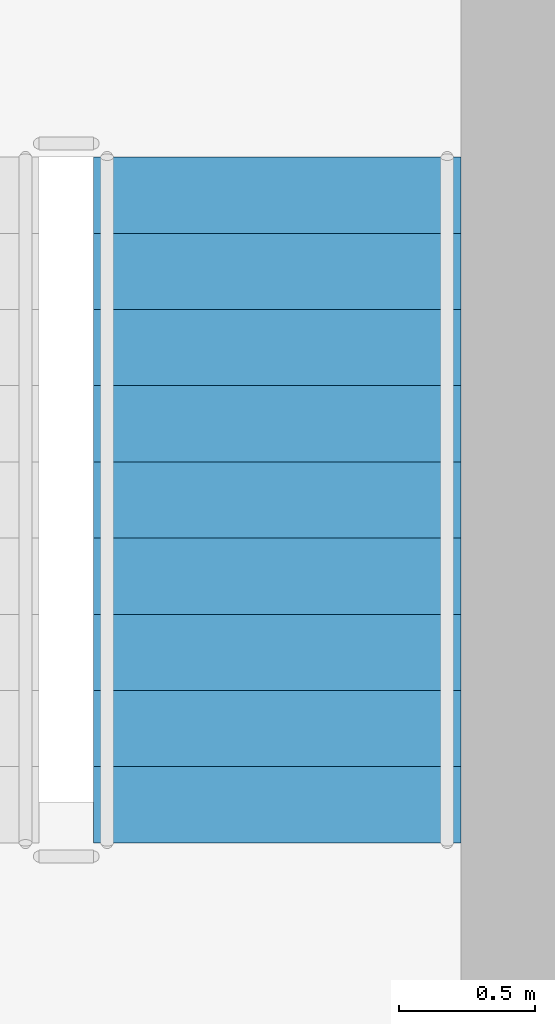
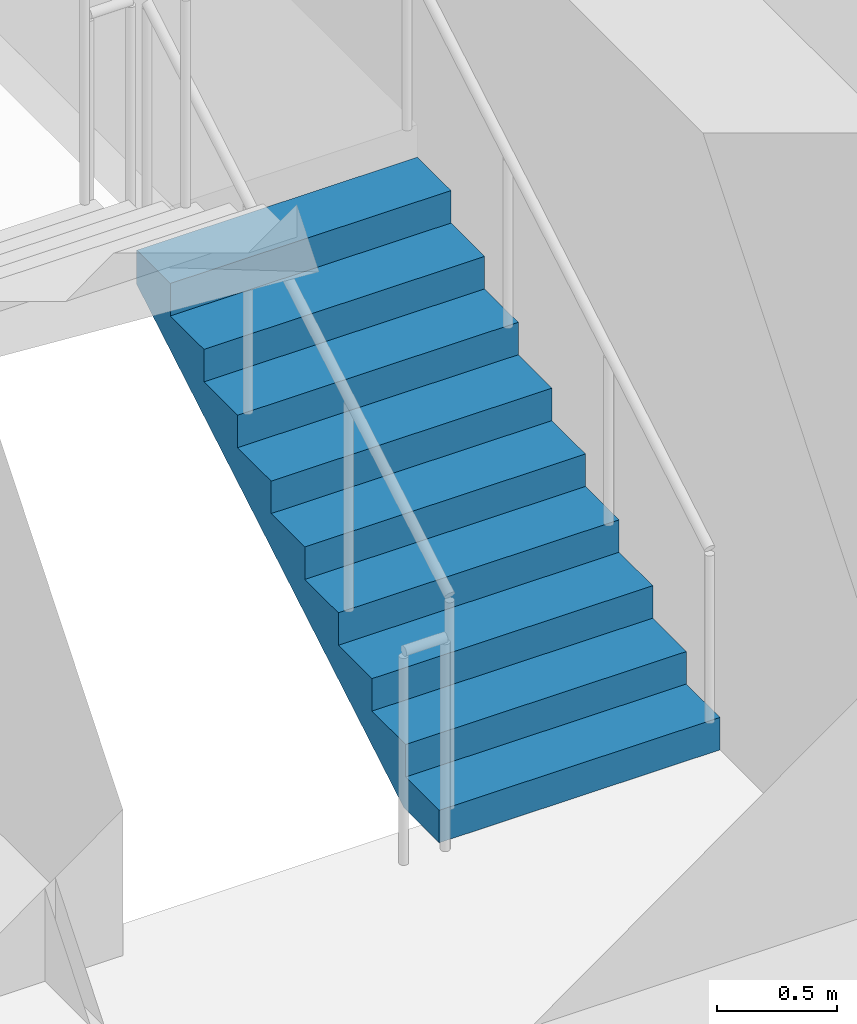
# One storey, part 13 of 17: 1 stair flight, 1 element without a shape of its own.
"""IFC4 building model written with IfcOpenShell, lengths in metres."""

from ifc_helpers import new_model, si_unit, direction, frame, origin, place, context, subcontext, project, spatial, polyline, outline, extrude, material, type_object, element, aggregate, save


model = new_model("IFC4")

# Units and contexts
model_context = context("Model", 3, precision=1e-05, world=origin(), true_north=direction((0.0, 1.0)))
body_context = subcontext(model_context, "Body", "Model", "MODEL_VIEW")
ifc_project = project(units=[si_unit("LENGTHUNIT", "METRE"), si_unit("AREAUNIT", "SQUARE_METRE"), si_unit("VOLUMEUNIT", "CUBIC_METRE"), si_unit("PLANEANGLEUNIT", "RADIAN"), si_unit("MASSUNIT", "GRAM", prefix="KILO")], contexts=[model_context])

# Site, building, storey
site_placement = place(None, origin())
site = spatial("IfcSite", under=ifc_project, at=site_placement, CompositionType="ELEMENT")
building_placement = place(site_placement, origin())
building = spatial("IfcBuilding", under=site, at=building_placement, Name="Caelmar Bay Residences", CompositionType="ELEMENT")
storey_placement = place(building_placement, frame((0.0, 0.0, 204.89990234375)))
storey = spatial("IfcBuildingStorey", under=building, at=storey_placement, Name="L57", CompositionType="ELEMENT", Elevation=204.89990234375)

# Stair, stair flight
ifc_material = material(Name="Concrete f'c 40 MPa (6,000 psi)", Category="concrete")
stair_type = type_object("IfcStairType", Name="ST-TYP-165", PredefinedType="HALF_TURN_STAIR", material=ifc_material)
stair_placement = place(storey_placement, origin())
stair = element("IfcStair", 1, at=stair_placement, inside=storey, type_object=stair_type, Name="L57 East Smokeproof Exit Stair ST2", PredefinedType="HALF_TURN_STAIR")
stair_flight_type = type_object("IfcStairFlightType", Name="STF-1350", PredefinedType="STRAIGHT", material=ifc_material)
stair_flight_placement = place(storey_placement, frame((58.47509765625, 38.699951171875, 0.0), z_axis=(0.0, 0.0, 1.0), x_axis=(0.0, 1.0, 0.0)))
stair_flight = element("IfcStairFlight", 2, at=stair_flight_placement, type_object=stair_flight_type, Name="ST2 flight 1", NumberOfRisers=10, NumberOfTreads=9, PredefinedType="STRAIGHT", RiserHeight=0.165, TreadLength=0.28, context=body_context, shape_type="SweptSolid", body=[
    extrude(outline(polyline([(0.0, 0.0), (0.0, 0.1650390625), (0.280029296875, 0.1650390625), (0.280029296875, 0.330078125), (0.56005859375, 0.330078125), (0.56005859375, 0.4951171875), (0.840087890625, 0.4951171875), (0.840087890625, 0.659912109375), (1.1201171875, 0.659912109375), (1.1201171875, 0.824951171875), (1.39990234375, 0.824951171875), (1.39990234375, 0.989990234375), (1.679931640625, 0.989990234375), (1.679931640625, 1.155029296875), (1.9599609375, 1.155029296875), (1.9599609375, 1.320068359375), (2.239990234375, 1.320068359375), (2.239990234375, 1.485107421875), (2.52001953125, 1.485107421875), (2.52001953125, 1.64990234375), (2.52001953125, 1.31103515625), (0.295166015625, 0.0), (0.0, 0.0)])), frame((0.0, 0.675048828125, 0.0), z_axis=(0.0, -1.0, 0.0), x_axis=(1.0, 0.0, 0.0)), (0.0, 0.0, 1.0), 1.35009765625),
])
aggregate(stair, [stair_flight])

save(model, "model.ifc")
